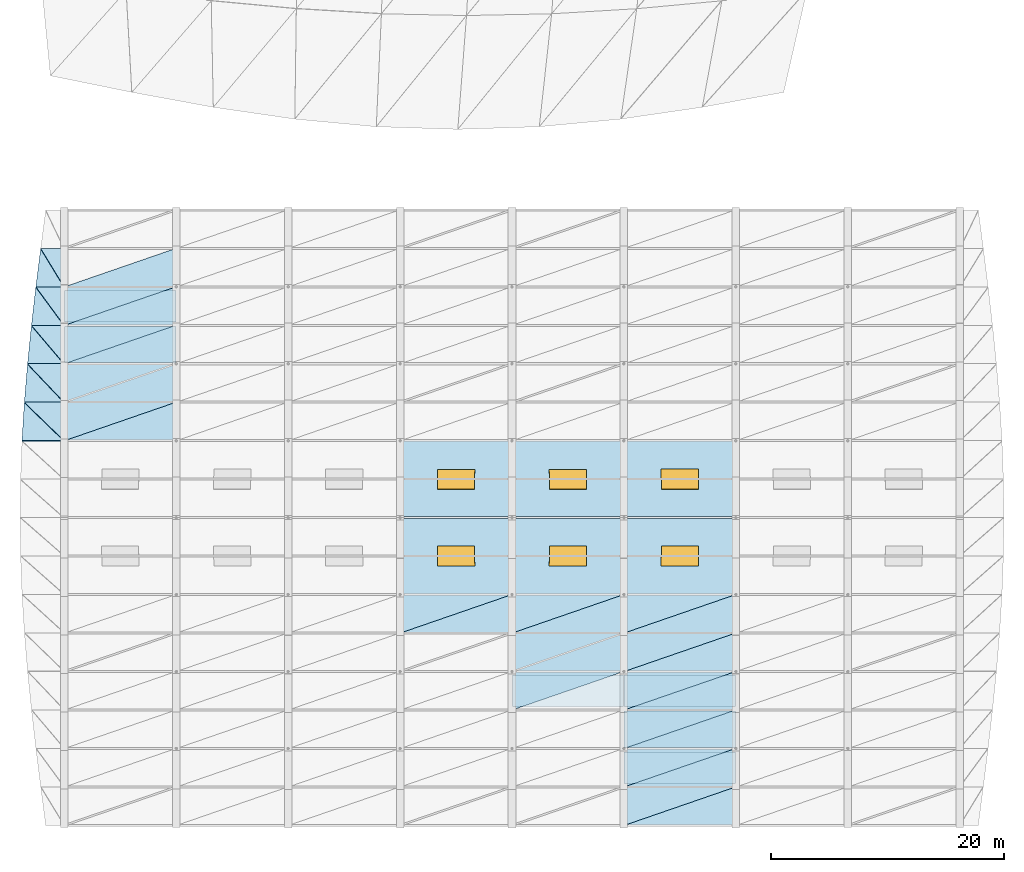
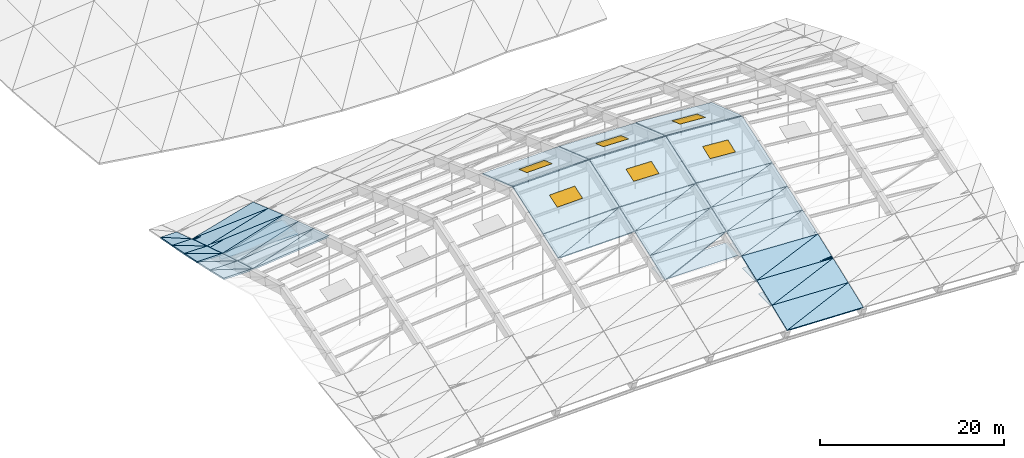
# One storey, part 38 of 43: 44 slabs, 6 plates, 6 windows, 6 openings.
"""IFC4 building model written with IfcOpenShell, lengths in metres."""

from ifc_helpers import new_model, si_unit, direction, frame, origin, origin_2d, place, context, subcontext, project, spatial, polyline, rectangle, outline, extrude, material, layer, layer_set, type_object, element, fill, save


model = new_model("IFC4")

# Units and contexts
model_context = context("Model", 3, precision=1e-05, world=origin(), true_north=direction((0.0, 1.0)))
body_context = subcontext(model_context, "Body", "Model", "MODEL_VIEW")
ifc_project = project(units=[si_unit("LENGTHUNIT", "METRE"), si_unit("AREAUNIT", "SQUARE_METRE"), si_unit("VOLUMEUNIT", "CUBIC_METRE"), si_unit("PLANEANGLEUNIT", "RADIAN"), si_unit("MASSUNIT", "GRAM", prefix="KILO")], contexts=[model_context])

# Site, building, storey
site_placement = place(None, origin())
site = spatial("IfcSite", under=ifc_project, at=site_placement, CompositionType="ELEMENT")
building_placement = place(site_placement, origin())
building = spatial("IfcBuilding", under=site, at=building_placement, Name="Chalmorin Arch Market", CompositionType="ELEMENT")
storey_placement = place(building_placement, frame((0.0, 0.0, 18.60009765625)))
storey = spatial("IfcBuildingStorey", under=building, at=storey_placement, Name="RF", CompositionType="ELEMENT", Elevation=18.60009765625)

# Slab, opening, window
ifc_material_1 = material(Name="Concrete C40/50", Category="concrete")
ifc_layer_1 = layer(ifc_material_1, 0.199951171875)
ifc_layer_set_1 = layer_set([ifc_layer_1], Name="Concrete C40/50")
slab_type_1 = type_object("IfcSlabType", Name="VaultCrownRoofSlab-200", PredefinedType="ROOF", material=ifc_layer_set_1)
slab_1_placement = place(storey_placement, frame((76.820068359375, 25.800048828125, 6.15283203125), z_axis=(-0.023195518016, -0.328714689483, 0.944144385601), x_axis=(0.99969834899, 0.0, 0.02456035477)))
slab_1 = element("IfcSlab", 1, at=slab_1_placement, inside=storey, type_object=slab_type_1, Name="RS-200-436", PredefinedType="ROOF", context=body_context, shape_type="SweptSolid", body=[
    extrude(outline(polyline([(0.0, 0.0), (9.562699050950895, 0.0), (9.618451535973202, 6.903660986791848), (0.05575248502230624, 6.903660986791848), (0.0, 0.0)])), origin(), (0.0, 0.0, -1.0), 0.199951171875),
])
opening_1_placement = place(slab_1_placement, frame((4.8095703125, 3.494140625, -0.21484375)))
opening_1 = element("IfcOpeningElement", 2, at=opening_1_placement, cuts=slab_1, Name="Opening SK-131", PredefinedType="OPENING", context=body_context, shape_type="SweptSolid", body=[
    extrude(rectangle(XDim=3.199951171875, YDim=1.800048828125, at=origin_2d()), origin(), (0.0, 0.0, 1.0), 0.22998046875),
])
ifc_material_2 = material(Name="Low-E Tempered Glass", Category="glass")
window_type = type_object("IfcWindowType", Name="VaultCrownSkylight-3200x1800", PartitioningType="SINGLE_PANEL", PredefinedType="SKYLIGHT", material=ifc_material_2)
window_1_placement = place(slab_1_placement, frame((4.8095703125, 3.494140625, -0.050048828125)))
window_1 = element("IfcWindow", 3, at=window_1_placement, inside=storey, type_object=window_type, Name="SK-131", OverallHeight=1.800048828125, OverallWidth=3.199951171875, PartitioningType="SINGLE_PANEL", PredefinedType="SKYLIGHT", context=body_context, shape_type="SweptSolid", body=[
    extrude(rectangle(XDim=3.199951171875, YDim=1.800048828125, at=origin_2d()), origin(), (0.0, 0.0, 1.0), 0.050048828125),
])
fill(opening_1, window_1)

slab_2_placement = place(storey_placement, frame((76.820068359375, 32.47998046875, 8.4228515625), z_axis=(-0.023195518016, 0.328714689483, 0.944144385601), x_axis=(0.99969834899, 0.0, 0.02456035477)))
slab_2 = element("IfcSlab", 4, at=slab_2_placement, inside=storey, type_object=slab_type_1, Name="RS-200-437", PredefinedType="ROOF", context=body_context, shape_type="SweptSolid", body=[
    extrude(outline(polyline([(0.0, 0.0), (9.562699050950895, 0.0), (9.506946565928589, 6.903660986791848), (-0.05575248502230624, 6.903660986791848), (0.0, 0.0)])), origin(), (0.0, 0.0, -1.0), 0.199951171875),
])
opening_2_placement = place(slab_2_placement, frame((4.75390625, 3.409423828125, -0.21484375)))
opening_2 = element("IfcOpeningElement", 5, at=opening_2_placement, cuts=slab_2, Name="Opening SK-132", PredefinedType="OPENING", context=body_context, shape_type="SweptSolid", body=[
    extrude(rectangle(XDim=3.199951171875, YDim=1.800048828125, at=origin_2d()), origin(), (0.0, 0.0, 1.0), 0.22998046875),
])
window_2_placement = place(slab_2_placement, frame((4.75390625, 3.409423828125, -0.050048828125)))
window_2 = element("IfcWindow", 6, at=window_2_placement, inside=storey, type_object=window_type, Name="SK-132", OverallHeight=1.800048828125, OverallWidth=3.199951171875, PartitioningType="SINGLE_PANEL", PredefinedType="SKYLIGHT", context=body_context, shape_type="SweptSolid", body=[
    extrude(rectangle(XDim=3.199951171875, YDim=1.800048828125, at=origin_2d()), origin(), (0.0, 0.0, 1.0), 0.050048828125),
])
fill(opening_2, window_2)

slab_3_placement = place(storey_placement, frame((86.419921875, 25.800048828125, 6.3876953125), z_axis=(0.023194925978, -0.328714693999, 0.944144398574), x_axis=(0.99969836439, 0.0, -0.024559727937)))
slab_3 = element("IfcSlab", 7, at=slab_3_placement, inside=storey, type_object=slab_type_1, Name="RS-200-462", PredefinedType="ROOF", context=body_context, shape_type="SweptSolid", body=[
    extrude(outline(polyline([(0.0, 0.0), (9.56294311793251, 0.0), (9.507192055834148, 6.90366099828293), (-0.05575106209836233, 6.9036609982829304), (0.0, 0.0)])), origin(), (0.0, 0.0, -1.0), 0.199951171875),
])
opening_3_placement = place(slab_3_placement, frame((4.753173828125, 3.494140625, -0.21484375)))
opening_3 = element("IfcOpeningElement", 8, at=opening_3_placement, cuts=slab_3, Name="Opening SK-133", PredefinedType="OPENING", context=body_context, shape_type="SweptSolid", body=[
    extrude(rectangle(XDim=3.199951171875, YDim=1.800048828125, at=origin_2d()), origin(), (0.0, 0.0, 1.0), 0.22998046875),
])
window_3_placement = place(slab_3_placement, frame((4.753173828125, 3.494140625, -0.050048828125)))
window_3 = element("IfcWindow", 9, at=window_3_placement, inside=storey, type_object=window_type, Name="SK-133", OverallHeight=1.800048828125, OverallWidth=3.199951171875, PartitioningType="SINGLE_PANEL", PredefinedType="SKYLIGHT", context=body_context, shape_type="SweptSolid", body=[
    extrude(rectangle(XDim=3.199951171875, YDim=1.800048828125, at=origin_2d()), origin(), (0.0, 0.0, 1.0), 0.050048828125),
])
fill(opening_3, window_3)

slab_4_placement = place(storey_placement, frame((86.419921875, 32.47998046875, 8.65771484375), z_axis=(0.023194925978, 0.328714693999, 0.944144398574), x_axis=(0.99969836439, 0.0, -0.024559727937)))
slab_4 = element("IfcSlab", 10, at=slab_4_placement, inside=storey, type_object=slab_type_1, Name="RS-200-463", PredefinedType="ROOF", context=body_context, shape_type="SweptSolid", body=[
    extrude(outline(polyline([(0.0, 0.0), (9.56294311793251, 0.0), (9.618694180030872, 6.9036609982829304), (0.05575106209836233, 6.9036609982829304), (0.0, 0.0)])), origin(), (0.0, 0.0, -1.0), 0.199951171875),
])
opening_4_placement = place(slab_4_placement, frame((4.80908203125, 3.409423828125, -0.21484375)))
opening_4 = element("IfcOpeningElement", 11, at=opening_4_placement, cuts=slab_4, Name="Opening SK-134", PredefinedType="OPENING", context=body_context, shape_type="SweptSolid", body=[
    extrude(rectangle(XDim=3.199951171875, YDim=1.800048828125, at=origin_2d()), origin(), (0.0, 0.0, 1.0), 0.22998046875),
])
window_4_placement = place(slab_4_placement, frame((4.80908203125, 3.409423828125, -0.050048828125)))
window_4 = element("IfcWindow", 12, at=window_4_placement, inside=storey, type_object=window_type, Name="SK-134", OverallHeight=1.800048828125, OverallWidth=3.199951171875, PartitioningType="SINGLE_PANEL", PredefinedType="SKYLIGHT", context=body_context, shape_type="SweptSolid", body=[
    extrude(rectangle(XDim=3.199951171875, YDim=1.800048828125, at=origin_2d()), origin(), (0.0, 0.0, 1.0), 0.050048828125),
])
fill(opening_4, window_4)

slab_5_placement = place(storey_placement, frame((96.02001953125, 25.800048828125, 6.202392578125), z_axis=(0.066149377305, -0.32027640649, 0.945011790047), x_axis=(0.997559073615, 0.0, -0.069827606639)))
slab_5 = element("IfcSlab", 13, at=slab_5_placement, inside=storey, type_object=slab_type_1, Name="RS-200-488", PredefinedType="ROOF", context=body_context, shape_type="SweptSolid", body=[
    extrude(outline(polyline([(0.0, 0.0), (9.583451092383525, 2.7755575615628914e-17), (9.429151857107296, 6.882564547918615), (-0.15429923527622783, 6.882564547918615), (0.0, 0.0)])), origin(), (0.0, 0.0, -1.0), 0.199951171875),
])
opening_5_placement = place(slab_5_placement, frame((4.713623046875, 3.483642578125, -0.21484375)))
opening_5 = element("IfcOpeningElement", 14, at=opening_5_placement, cuts=slab_5, Name="Opening SK-135", PredefinedType="OPENING", context=body_context, shape_type="SweptSolid", body=[
    extrude(rectangle(XDim=3.199951171875, YDim=1.800048828125, at=origin_2d()), origin(), (0.0, 0.0, 1.0), 0.22998046875),
])
window_5_placement = place(slab_5_placement, frame((4.713623046875, 3.483642578125, -0.050048828125)))
window_5 = element("IfcWindow", 15, at=window_5_placement, inside=storey, type_object=window_type, Name="SK-135", OverallHeight=1.800048828125, OverallWidth=3.199951171875, PartitioningType="SINGLE_PANEL", PredefinedType="SKYLIGHT", context=body_context, shape_type="SweptSolid", body=[
    extrude(rectangle(XDim=3.199951171875, YDim=1.800048828125, at=origin_2d()), origin(), (0.0, 0.0, 1.0), 0.050048828125),
])
fill(opening_5, window_5)

slab_6_placement = place(storey_placement, frame((96.02001953125, 32.47998046875, 8.412109375), z_axis=(0.066149377305, 0.32027640649, 0.945011790047), x_axis=(0.997559073615, 0.0, -0.069827606639)))
slab_6 = element("IfcSlab", 16, at=slab_6_placement, inside=storey, type_object=slab_type_1, Name="RS-200-489", PredefinedType="ROOF", context=body_context, shape_type="SweptSolid", body=[
    extrude(outline(polyline([(0.0, 0.0), (9.583451092383525, -2.7755575615628914e-17), (9.737750327659752, 6.882564547918615), (0.15429923527622783, 6.882564547918615), (0.0, 0.0)])), origin(), (0.0, 0.0, -1.0), 0.199951171875),
])
opening_6_placement = place(slab_6_placement, frame((4.867919921875, 3.39892578125, -0.21484375)))
opening_6 = element("IfcOpeningElement", 17, at=opening_6_placement, cuts=slab_6, Name="Opening SK-136", PredefinedType="OPENING", context=body_context, shape_type="SweptSolid", body=[
    extrude(rectangle(XDim=3.199951171875, YDim=1.800048828125, at=origin_2d()), origin(), (0.0, 0.0, 1.0), 0.22998046875),
])
window_6_placement = place(slab_6_placement, frame((4.867919921875, 3.39892578125, -0.050048828125)))
window_6 = element("IfcWindow", 18, at=window_6_placement, inside=storey, type_object=window_type, Name="SK-136", OverallHeight=1.800048828125, OverallWidth=3.199951171875, PartitioningType="SINGLE_PANEL", PredefinedType="SKYLIGHT", context=body_context, shape_type="SweptSolid", body=[
    extrude(rectangle(XDim=3.199951171875, YDim=1.800048828125, at=origin_2d()), origin(), (0.0, 0.0, 1.0), 0.050048828125),
])
fill(opening_6, window_6)

# Plates
ifc_material_3 = material(Name="Precast concrete C40/50", Category="concrete")
ifc_layer_2 = layer(ifc_material_3, 0.06005859375)
ifc_layer_set_2 = layer_set([ifc_layer_2], Name="Precast concrete C40/50")
plate_type_1 = type_object("IfcPlateType", Name="VaultRoofCassette-9600x2700x60", PredefinedType="SHEET", material=ifc_layer_set_2)
for number, where, z_axis, x_axis, name in (
    (19, (52.800048828125, 50.550048828125, -0.32080078125), (0.0, 0.0, 1.0), (1.0, 0.0, 0.0), "VRC-02-051"),
    (20, (91.199951171875, 17.550048828125, 2.456298828125), (0.0, 0.0, 1.0), (1.0, 0.0, 0.0), "VRC-02-073"),
    (21, (100.800048828125, 10.949951171875, -0.34423828125), (0.0, 0.0, 1.0), (1.0, 0.0, 0.0), "VRC-02-077"),
    (22, (100.800048828125, 17.550048828125, 2.13427734375), (0.0, 0.0, 1.0), (1.0, 0.0, 0.0), "VRC-02-079"),
):
    element("IfcPlate", number, at=place(storey_placement, frame(where, z_axis=z_axis, x_axis=x_axis)), inside=storey, type_object=plate_type_1, Name=name, PredefinedType="SHEET", context=body_context, shape_type="SweptSolid", body=[
        extrude(rectangle(XDim=9.550048828125, YDim=2.699951171875, at=origin_2d()), origin(), (0.0, 0.0, 1.0), 0.06005859375),
    ])
ifc_layer_3 = layer(ifc_material_3, 0.06005859375)
ifc_layer_set_3 = layer_set([ifc_layer_3], Name="Precast concrete C40/50")
plate_type_2 = type_object("IfcPlateType", Name="VaultRoofCassette-9600x3100x60", PredefinedType="SHEET", material=ifc_layer_set_3)
for number, where, z_axis, x_axis, name in (
    (23, (52.800048828125, 47.25, 0.7607421875), (0.0, 0.0, 1.0), (1.0, 0.0, 0.0), "VRC-01-050"),
    (24, (100.800048828125, 14.25, 0.909912109375), (0.0, 0.0, 1.0), (1.0, 0.0, 0.0), "VRC-01-078"),
):
    element("IfcPlate", number, at=place(storey_placement, frame(where, z_axis=z_axis, x_axis=x_axis)), inside=storey, type_object=plate_type_2, Name=name, PredefinedType="SHEET", context=body_context, shape_type="SweptSolid", body=[
        extrude(rectangle(XDim=9.550048828125, YDim=3.10009765625, at=origin_2d()), origin(), (0.0, 0.0, 1.0), 0.06005859375),
    ])

# Slabs
ifc_layer_4 = layer(ifc_material_1, 0.18994140625)
ifc_layer_set_4 = layer_set([ifc_layer_4], Name="Concrete C40/50")
slab_type_2 = type_object("IfcSlabType", Name="VaultSlopedRoofSlab-190", PredefinedType="ROOF", material=ifc_layer_set_4)
slab_7_placement = place(storey_placement, frame((48.02001953125, 39.0, 3.626708984375), z_axis=(-0.102232091462, 0.302960133293, 0.947503961528), x_axis=(0.994229537793, 0.0, 0.1072736043)))
element("IfcSlab", 25, at=slab_7_placement, inside=storey, type_object=slab_type_2, Name="RS-190-372", PredefinedType="ROOF", context=body_context, shape_type="SweptSolid", body=[
    extrude(outline(polyline([(0.0, 0.0), (9.61554473121918, 0.0), (9.502352221994506, 3.462788710447282), (0.0, 0.0)])), origin(), (0.0, 0.0, -1.0), 0.18994140625),
])
slab_8_placement = place(storey_placement, frame((48.02001953125, 39.0, 3.626708984375), z_axis=(-0.094964415438, 0.281957829099, 0.954715424831), x_axis=(0.945264391896, 0.326297021943, -0.002341555902)))
element("IfcSlab", 26, at=slab_8_placement, inside=storey, type_object=slab_type_2, Name="RS-190-373", PredefinedType="ROOF", context=body_context, shape_type="SweptSolid", body=[
    extrude(outline(polyline([(0.0, 0.0), (10.113634529883168, -1.222980050563649e-16), (1.0790782072193155, 3.2673805907104585), (0.0, 0.0)])), origin(), (0.0, 0.0, -1.0), 0.18994140625),
])
slab_9_placement = place(storey_placement, frame((48.02001953125, 42.300048828125, 2.652099609375), z_axis=(-0.094094331558, 0.310307217052, 0.945968121986), x_axis=(0.995089386539, 0.0, 0.098980365713)))
element("IfcSlab", 27, at=slab_9_placement, inside=storey, type_object=slab_type_2, Name="RS-190-374", PredefinedType="ROOF", context=body_context, shape_type="SweptSolid", body=[
    extrude(outline(polyline([(0.0, 0.0), (9.607236016250294, -5.551115123125783e-17), (9.500087837156217, 3.4714103864659576), (0.0, 0.0)])), origin(), (0.0, 0.0, -1.0), 0.18994140625),
])
slab_10_placement = place(storey_placement, frame((48.02001953125, 42.300048828125, 2.652099609375), z_axis=(-0.086584402551, 0.288849757077, 0.953451078489), x_axis=(0.945186978713, 0.326270299588, -0.013010260522)))
element("IfcSlab", 28, at=slab_10_placement, inside=storey, type_object=slab_type_2, Name="RS-190-375", PredefinedType="ROOF", context=body_context, shape_type="SweptSolid", body=[
    extrude(outline(polyline([(0.0, 0.0), (10.114462861909535, -1.734723475976807e-16), (1.089715003995754, 3.2714454384003355), (0.0, 0.0)])), origin(), (0.0, 0.0, -1.0), 0.18994140625),
])
slab_11_placement = place(storey_placement, frame((48.02001953125, 45.60009765625, 1.65234375), z_axis=(-0.085756342282, 0.317618833975, 0.944332635284), x_axis=(0.995901957403, 0.0, 0.090439434101)))
element("IfcSlab", 29, at=slab_11_placement, inside=storey, type_object=slab_type_2, Name="RS-190-376", PredefinedType="ROOF", context=body_context, shape_type="SweptSolid", body=[
    extrude(outline(polyline([(0.0, 0.0), (9.599397332924068, 0.0), (9.499021925838374, 3.4800046345323126), (0.0, 0.0)])), origin(), (0.0, 0.0, -1.0), 0.18994140625),
])
slab_12_placement = place(storey_placement, frame((48.02001953125, 45.60009765625, 1.65234375), z_axis=(-0.078021806051, 0.295777051738, 0.952065403975), x_axis=(0.945004600685, 0.326183211167, -0.023891785961)))
element("IfcSlab", 30, at=slab_12_placement, inside=storey, type_object=slab_type_2, Name="RS-190-377", PredefinedType="ROOF", context=body_context, shape_type="SweptSolid", body=[
    extrude(outline(polyline([(0.0, 0.0), (10.116414869108748, -4.163336342344337e-16), (1.1008334695753577, 3.2753323437990343), (0.0, 0.0)])), origin(), (0.0, 0.0, -1.0), 0.18994140625),
])
slab_13_placement = place(storey_placement, frame((48.02001953125, 48.89990234375, 0.627197265625), z_axis=(-0.077247211787, 0.324827483834, 0.942613374622), x_axis=(0.996658913962, 0.0, 0.081676246358)))
element("IfcSlab", 31, at=slab_13_placement, inside=storey, type_object=slab_type_2, Name="RS-190-378", PredefinedType="ROOF", context=body_context, shape_type="SweptSolid", body=[
    extrude(outline(polyline([(0.0, 0.0), (9.592106647340225, 5.551115123125783e-17), (9.499223845695251, 3.4892599337240853), (0.0, 0.0)])), origin(), (0.0, 0.0, -1.0), 0.18994140625),
])
slab_14_placement = place(storey_placement, frame((48.02001953125, 48.89990234375, 0.627197265625), z_axis=(-0.069260501241, 0.302548116004, 0.950614338452), x_axis=(0.944689245284, 0.32609848635, -0.034957217335)))
element("IfcSlab", 32, at=slab_14_placement, inside=storey, type_object=slab_type_2, Name="RS-190-379", PredefinedType="ROOF", context=body_context, shape_type="SweptSolid", body=[
    extrude(outline(polyline([(0.0, 0.0), (10.119791922550457, -1.3877787807814457e-17), (1.1128562473084407, 3.2794799223415665), (0.0, 0.0)])), origin(), (0.0, 0.0, -1.0), 0.18994140625),
])
slab_15_placement = place(storey_placement, frame((48.02001953125, 52.199951171875, -0.423095703125), z_axis=(-0.068542975348, 0.332055582319, 0.940766150954), x_axis=(0.997356327314, 0.0, 0.072666060622)))
element("IfcSlab", 33, at=slab_15_placement, inside=storey, type_object=slab_type_2, Name="RS-190-380", PredefinedType="ROOF", context=body_context, shape_type="SweptSolid", body=[
    extrude(outline(polyline([(0.0, 0.0), (9.585399251934621, -5.551115123125783e-17), (9.500758193529716, 3.4985576126837006), (0.0, 0.0)])), origin(), (0.0, 0.0, -1.0), 0.18994140625),
])
slab_16_placement = place(storey_placement, frame((76.820068359375, 22.5, 4.947998046875), z_axis=(-0.018600218808, -0.337913826116, 0.940993240135), x_axis=(0.999804698373, 0.0, 0.019762720243)))
element("IfcSlab", 34, at=slab_16_placement, inside=storey, type_object=slab_type_2, Name="RS-190-448", PredefinedType="ROOF", context=body_context, shape_type="SweptSolid", body=[
    extrude(outline(polyline([(0.0, 0.0), (9.561681865150666, -1.3877787807814457e-17), (9.58510184661007, 3.506299708110867), (0.0, 0.0)])), origin(), (0.0, 0.0, -1.0), 0.18994140625),
])
slab_17_placement = place(storey_placement, frame((76.820068359375, 22.5, 4.947998046875), z_axis=(-0.0202168603, -0.333824081747, 0.94241856996), x_axis=(0.936659286776, 0.323334871909, 0.134625187475)))
element("IfcSlab", 35, at=slab_17_placement, inside=storey, type_object=slab_type_2, Name="RS-190-449", PredefinedType="ROOF", context=body_context, shape_type="SweptSolid", body=[
    extrude(outline(polyline([(0.0, 0.0), (10.20628801538474, -1.1102230246251565e-16), (1.2243903469805109, 3.2798816579025925), (0.0, 0.0)])), origin(), (0.0, 0.0, -1.0), 0.18994140625),
])
slab_18_placement = place(storey_placement, frame((86.419921875, 15.89990234375, 2.674560546875), z_axis=(0.016887769565, -0.353324602699, 0.935348346001), x_axis=(0.939981968165, 0.324473575353, 0.105597340977)))
element("IfcSlab", 36, at=slab_18_placement, inside=storey, type_object=slab_type_2, Name="RS-190-471", PredefinedType="ROOF", context=body_context, shape_type="SweptSolid", body=[
    extrude(outline(polyline([(0.0, 0.0), (10.170470197858338, -5.551115123125783e-16), (1.202414389911881, 3.3163969399903572), (0.0, 0.0)])), origin(), (0.0, 0.0, -1.0), 0.18994140625),
])
slab_19_placement = place(storey_placement, frame((86.419921875, 19.199951171875, 3.921142578125), z_axis=(0.016966499315, -0.341554319849, 0.939708882843), x_axis=(0.999837047261, 0.0, -0.01805211687)))
element("IfcSlab", 37, at=slab_19_placement, inside=storey, type_object=slab_type_2, Name="RS-190-472", PredefinedType="ROOF", context=body_context, shape_type="SweptSolid", body=[
    extrude(outline(polyline([(0.0, 0.0), (9.56161668537385, 0.0), (9.539963841090495, 3.511205583318941), (0.0, 0.0)])), origin(), (0.0, 0.0, -1.0), 0.18994140625),
])
slab_20_placement = place(storey_placement, frame((86.419921875, 19.199951171875, 3.921142578125), z_axis=(0.018544148484, -0.345649128637, 0.938180576664), x_axis=(0.9404320667, 0.324628945441, 0.101012750205)))
element("IfcSlab", 38, at=slab_20_placement, inside=storey, type_object=slab_type_2, Name="RS-190-473", PredefinedType="ROOF", context=body_context, shape_type="SweptSolid", body=[
    extrude(outline(polyline([(0.0, 0.0), (10.165602527034205, 6.106226635438361e-16), (1.194104724499652, 3.3079684410865218), (0.0, 0.0)])), origin(), (0.0, 0.0, -1.0), 0.18994140625),
])
slab_21_placement = place(storey_placement, frame((86.419921875, 22.5, 5.136962890625), z_axis=(0.018628491885, -0.333834384393, 0.942447655356), x_axis=(0.999804708345, 0.0, -0.019762215748)))
element("IfcSlab", 39, at=slab_21_placement, inside=storey, type_object=slab_type_2, Name="RS-190-474", PredefinedType="ROOF", context=body_context, shape_type="SweptSolid", body=[
    extrude(outline(polyline([(0.0, 0.0), (9.561925958095822, 0.0), (9.53882500863262, 3.500888709707695), (0.0, 0.0)])), origin(), (0.0, 0.0, -1.0), 0.18994140625),
])
slab_22_placement = place(storey_placement, frame((86.419921875, 22.5, 5.136962890625), z_axis=(0.020185147815, -0.337903436234, 0.940964307287), x_axis=(0.940860399136, 0.324776802061, 0.096445519233)))
element("IfcSlab", 40, at=slab_22_placement, inside=storey, type_object=slab_type_2, Name="RS-190-475", PredefinedType="ROOF", context=body_context, shape_type="SweptSolid", body=[
    extrude(outline(polyline([(0.0, 0.0), (10.160974574472366, 2.7755575615628914e-16), (1.1860728964410718, 3.299684412630669), (0.0, 0.0)])), origin(), (0.0, 0.0, -1.0), 0.18994140625),
])
slab_23_placement = place(storey_placement, frame((96.02001953125, 6.0, -1.352783203125), z_axis=(0.028566842063, -0.35884182464, 0.932961135538), x_axis=(0.999531551216, 0.0, -0.030605197658)))
element("IfcSlab", 41, at=slab_23_placement, inside=storey, type_object=slab_type_2, Name="RS-190-490", PredefinedType="ROOF", context=body_context, shape_type="SweptSolid", body=[
    extrude(outline(polyline([(0.0, 0.0), (9.564539090456318, 1.3877787807814457e-17), (9.525692307588624, 3.535520182589198), (0.0, 0.0)])), origin(), (0.0, 0.0, -1.0), 0.18994140625),
])
slab_24_placement = place(storey_placement, frame((96.02001953125, 6.0, -1.352783203125), z_axis=(0.033411164836, -0.371372685101, 0.927882547969), x_axis=(0.940890871282, 0.32478732078, 0.096112249991)))
element("IfcSlab", 42, at=slab_24_placement, inside=storey, type_object=slab_type_2, Name="RS-190-491", PredefinedType="ROOF", context=body_context, shape_type="SweptSolid", body=[
    extrude(outline(polyline([(0.0, 0.0), (10.160645496244255, -2.7755575615628914e-16), (1.198759152206508, 3.3463134143054996), (0.0, 0.0)])), origin(), (0.0, 0.0, -1.0), 0.18994140625),
])
slab_25_placement = place(storey_placement, frame((96.02001953125, 9.300048828125, -0.031982421875), z_axis=(0.033687050941, -0.351599121409, 0.935544355134), x_axis=(0.999352342864, 0.0, -0.035984646903)))
element("IfcSlab", 43, at=slab_25_placement, inside=storey, type_object=slab_type_2, Name="RS-190-492", PredefinedType="ROOF", context=body_context, shape_type="SweptSolid", body=[
    extrude(outline(polyline([(0.0, 0.0), (9.566254246580067, -1.3877787807814457e-17), (9.521624850518407, 3.5251257835640426), (0.0, 0.0)])), origin(), (0.0, 0.0, -1.0), 0.18994140625),
])
slab_26_placement = place(storey_placement, frame((96.02001953125, 9.300048828125, -0.031982421875), z_axis=(0.038405974149, -0.363935797547, 0.930631890929), x_axis=(0.941579099337, 0.325024891101, 0.088247492072)))
element("IfcSlab", 44, at=slab_26_placement, inside=storey, type_object=slab_type_2, Name="RS-190-493", PredefinedType="ROOF", context=body_context, shape_type="SweptSolid", body=[
    extrude(outline(polyline([(0.0, 0.0), (10.153218779478637, 1.1102230246251565e-16), (1.1864838125260349, 3.338867960190894), (0.0, 0.0)])), origin(), (0.0, 0.0, -1.0), 0.18994140625),
])
slab_27_placement = place(storey_placement, frame((96.02001953125, 12.60009765625, 1.258544921875), z_axis=(0.038713337205, -0.344249445517, 0.938079739033), x_axis=(0.999149533114, 0.0, -0.041233608599)))
element("IfcSlab", 45, at=slab_27_placement, inside=storey, type_object=slab_type_2, Name="RS-190-494", PredefinedType="ROOF", context=body_context, shape_type="SweptSolid", body=[
    extrude(outline(polyline([(0.0, 0.0), (9.568196027630275, 0.0), (9.518264704717653, 3.5146247975488674), (0.0, 0.0)])), origin(), (0.0, 0.0, -1.0), 0.18994140625),
])
slab_28_placement = place(storey_placement, frame((96.02001953125, 12.60009765625, 1.258544921875), z_axis=(0.043331057141, -0.35644762457, 0.933309975531), x_axis=(0.942209509386, 0.325218441413, 0.080462449548)))
element("IfcSlab", 46, at=slab_28_placement, inside=storey, type_object=slab_type_2, Name="RS-190-495", PredefinedType="ROOF", context=body_context, shape_type="SweptSolid", body=[
    extrude(outline(polyline([(0.0, 0.0), (10.146425501457115, -5.551115123125783e-16), (1.1745604537859091, 3.3312698215947023), (0.0, 0.0)])), origin(), (0.0, 0.0, -1.0), 0.18994140625),
])
slab_29_placement = place(storey_placement, frame((96.02001953125, 15.89990234375, 2.518798828125), z_axis=(0.043668016559, -0.336786858843, 0.940567762599), x_axis=(0.998923992344, 0.0, -0.046377338426)))
element("IfcSlab", 47, at=slab_29_placement, inside=storey, type_object=slab_type_2, Name="RS-190-496", PredefinedType="ROOF", context=body_context, shape_type="SweptSolid", body=[
    extrude(outline(polyline([(0.0, 0.0), (9.570356370475023, 0.0), (9.515555023311604, 3.5047958067494682), (0.0, 0.0)])), origin(), (0.0, 0.0, -1.0), 0.18994140625),
])
slab_30_placement = place(storey_placement, frame((96.02001953125, 15.89990234375, 2.518798828125), z_axis=(0.048163130476, -0.348780178654, 0.935966185202), x_axis=(0.94276172686, 0.325433123805, 0.072757187256)))
element("IfcSlab", 48, at=slab_30_placement, inside=storey, type_object=slab_type_2, Name="RS-190-497", PredefinedType="ROOF", context=body_context, shape_type="SweptSolid", body=[
    extrude(outline(polyline([(0.0, 0.0), (10.14048228876119, -5.551115123125783e-17), (1.1634173551480567, 3.3240086886859728), (0.0, 0.0)])), origin(), (0.0, 0.0, -1.0), 0.18994140625),
])
slab_31_placement = place(storey_placement, frame((96.02001953125, 19.199951171875, 3.74853515625), z_axis=(0.048523162283, -0.329342846334, 0.942962773544), x_axis=(0.998678650651, 0.0, -0.051390200752)))
element("IfcSlab", 49, at=slab_31_placement, inside=storey, type_object=slab_type_2, Name="RS-190-498", PredefinedType="ROOF", context=body_context, shape_type="SweptSolid", body=[
    extrude(outline(polyline([(0.0, 0.0), (9.572707484550355, 0.0), (9.513475761466356, 3.4950354385335025), (0.0, 0.0)])), origin(), (0.0, 0.0, -1.0), 0.18994140625),
])
slab_32_placement = place(storey_placement, frame((96.02001953125, 19.199951171875, 3.74853515625), z_axis=(0.052896780018, -0.341125240833, 0.938528369699), x_axis=(0.943256683128, 0.325603978391, 0.065183425725)))
element("IfcSlab", 50, at=slab_32_placement, inside=storey, type_object=slab_type_2, Name="RS-190-499", PredefinedType="ROOF", context=body_context, shape_type="SweptSolid", body=[
    extrude(outline(polyline([(0.0, 0.0), (10.135161260710802, 4.163336342344337e-16), (1.152694127564239, 3.316674500501155), (0.0, 0.0)])), origin(), (0.0, 0.0, -1.0), 0.18994140625),
])
slab_33_placement = place(storey_placement, frame((96.02001953125, 22.5, 4.947998046875), z_axis=(0.053278179424, -0.321835424659, 0.945295400937), x_axis=(0.998415469941, 0.0, -0.056272101286)))
element("IfcSlab", 51, at=slab_33_placement, inside=storey, type_object=slab_type_2, Name="RS-190-500", PredefinedType="ROOF", context=body_context, shape_type="SweptSolid", body=[
    extrude(outline(polyline([(0.0, 0.0), (9.5752308348328, -2.7755575615628914e-17), (9.512007150721864, 3.4854922580757997), (0.0, 0.0)])), origin(), (0.0, 0.0, -1.0), 0.18994140625),
])
slab_34_placement = place(storey_placement, frame((96.02001953125, 22.5, 4.947998046875), z_axis=(0.057508950983, -0.333339728313, 0.941051192064), x_axis=(0.943691127671, 0.325753944857, 0.057718480279)))
element("IfcSlab", 52, at=slab_34_placement, inside=storey, type_object=slab_type_2, Name="RS-190-501", PredefinedType="ROOF", context=body_context, shape_type="SweptSolid", body=[
    extrude(outline(polyline([(0.0, 0.0), (10.13049536382551, -3.885780586188048e-16), (1.1424736709504486, 3.309306471575263), (0.0, 0.0)])), origin(), (0.0, 0.0, -1.0), 0.18994140625),
])
slab_35_placement = place(storey_placement, frame((44.571044921875, 42.300048828125, 2.652099609375), z_axis=(0.0, 0.283237875171, 0.959049689051), x_axis=(-0.059211276239, -0.95736701067, 0.282740926729)))
element("IfcSlab", 53, at=slab_35_placement, inside=storey, type_object=slab_type_2, Name="RS-190-586", PredefinedType="ROOF", context=body_context, shape_type="SweptSolid", body=[
    extrude(outline(polyline([(0.0, 0.0), (3.4470049535302407, -3.469446951953614e-18), (3.233072415185993, 3.6066979389406097), (0.0, 0.0)])), origin(), (0.0, 0.0, -1.0), 0.18994140625),
])
slab_36_placement = place(storey_placement, frame((47.97998046875, 42.300048828125, 2.652099609375), z_axis=(0.0, 0.283237875171, 0.959049689051), x_axis=(-1.0, 0.0, 0.0)))
element("IfcSlab", 54, at=slab_36_placement, inside=storey, type_object=slab_type_2, Name="RS-190-587", PredefinedType="ROOF", context=body_context, shape_type="SweptSolid", body=[
    extrude(outline(polyline([(0.0, 0.0), (3.408935546875, 0.0), (0.0, 3.440957090962786), (0.0, 0.0)])), origin(), (0.0, 0.0, -1.0), 0.18994140625),
])
slab_37_placement = place(storey_placement, frame((44.843994140625, 45.60009765625, 1.65234375), z_axis=(0.0, 0.2899386161, 0.957045243912), x_axis=(-0.078911003698, -0.954060855983, 0.28903449029)))
element("IfcSlab", 55, at=slab_37_placement, inside=storey, type_object=slab_type_2, Name="RS-190-588", PredefinedType="ROOF", context=body_context, shape_type="SweptSolid", body=[
    extrude(outline(polyline([(0.0, 0.0), (3.458950031784222, -1.734723475976807e-17), (3.189947506237857, 3.3983053429610526), (0.0, 0.0)])), origin(), (0.0, 0.0, -1.0), 0.18994140625),
])
slab_38_placement = place(storey_placement, frame((47.97998046875, 45.60009765625, 1.65234375), z_axis=(0.0, 0.2899386161, 0.957045243912), x_axis=(-1.0, 0.0, 0.0)))
element("IfcSlab", 56, at=slab_38_placement, inside=storey, type_object=slab_type_2, Name="RS-190-589", PredefinedType="ROOF", context=body_context, shape_type="SweptSolid", body=[
    extrude(outline(polyline([(0.0, 0.0), (3.135986328125, 0.0), (0.0, 3.4481638659384837), (0.0, 0.0)])), origin(), (0.0, 0.0, -1.0), 0.18994140625),
])
slab_39_placement = place(storey_placement, frame((45.177978515625, 48.89990234375, 0.627197265625), z_axis=(0.0, 0.29668143981, 0.954976504042), x_axis=(-0.096208031657, -0.950546605174, 0.295305208281)))
element("IfcSlab", 57, at=slab_39_placement, inside=storey, type_object=slab_type_2, Name="RS-190-590", PredefinedType="ROOF", context=body_context, shape_type="SweptSolid", body=[
    extrude(outline(polyline([(0.0, 0.0), (3.4714812188484525, -1.0408340855860843e-17), (3.16977414691597, 3.1214392662572905), (0.0, 0.0)])), origin(), (0.0, 0.0, -1.0), 0.18994140625),
])
slab_40_placement = place(storey_placement, frame((47.97998046875, 48.89990234375, 0.627197265625), z_axis=(0.0, 0.29668143981, 0.954976504042), x_axis=(-1.0, 0.0, 0.0)))
element("IfcSlab", 58, at=slab_40_placement, inside=storey, type_object=slab_type_2, Name="RS-190-591", PredefinedType="ROOF", context=body_context, shape_type="SweptSolid", body=[
    extrude(outline(polyline([(0.0, 0.0), (2.802001953125, 0.0), (0.0, 3.4553778794906638), (0.0, 0.0)])), origin(), (0.0, 0.0, -1.0), 0.18994140625),
])
slab_41_placement = place(storey_placement, frame((45.55810546875, 52.199951171875, -0.423095703125), z_axis=(0.0, 0.303276401485, 0.952902631071), x_axis=(-0.109107920144, -0.9472137165, 0.30146581404)))
element("IfcSlab", 59, at=slab_41_placement, inside=storey, type_object=slab_type_2, Name="RS-190-592", PredefinedType="ROOF", context=body_context, shape_type="SweptSolid", body=[
    extrude(outline(polyline([(0.0, 0.0), (3.4839538011728814, 6.245004513516506e-17), (3.1782331958269867, 2.785273748984695), (0.0, 0.0)])), origin(), (0.0, 0.0, -1.0), 0.18994140625),
])
slab_42_placement = place(storey_placement, frame((47.97998046875, 52.199951171875, -0.423095703125), z_axis=(0.0, 0.303276401485, 0.952902631071), x_axis=(-1.0, 0.0, 0.0)))
element("IfcSlab", 60, at=slab_42_placement, inside=storey, type_object=slab_type_2, Name="RS-190-593", PredefinedType="ROOF", context=body_context, shape_type="SweptSolid", body=[
    extrude(outline(polyline([(0.0, 0.0), (2.421875, 0.0), (0.0, 3.463154283051056), (0.0, 0.0)])), origin(), (0.0, 0.0, -1.0), 0.18994140625),
])
slab_43_placement = place(storey_placement, frame((45.970947265625, 55.5, -1.4990234375), z_axis=(0.0, 0.309974990116, 0.950744711004), x_axis=(-0.118107323013, -0.944090292828, 0.307805424317)))
element("IfcSlab", 61, at=slab_43_placement, inside=storey, type_object=slab_type_2, Name="RS-190-594", PredefinedType="ROOF", context=body_context, shape_type="SweptSolid", body=[
    extrude(outline(polyline([(0.0, 0.0), (3.495480096761171, -4.163336342344337e-17), (3.20943892383815, 2.4049238996313007), (0.0, 0.0)])), origin(), (0.0, 0.0, -1.0), 0.18994140625),
])
slab_44_placement = place(storey_placement, frame((47.97998046875, 55.5, -1.4990234375), z_axis=(0.0, 0.309974990116, 0.950744711004), x_axis=(-1.0, 0.0, 0.0)))
element("IfcSlab", 62, at=slab_44_placement, inside=storey, type_object=slab_type_2, Name="RS-190-595", PredefinedType="ROOF", context=body_context, shape_type="SweptSolid", body=[
    extrude(outline(polyline([(0.0, 0.0), (2.009033203125, 0.0), (0.0, 3.4710146582240915), (0.0, 0.0)])), origin(), (0.0, 0.0, -1.0), 0.18994140625),
])

save(model, "model.ifc")
